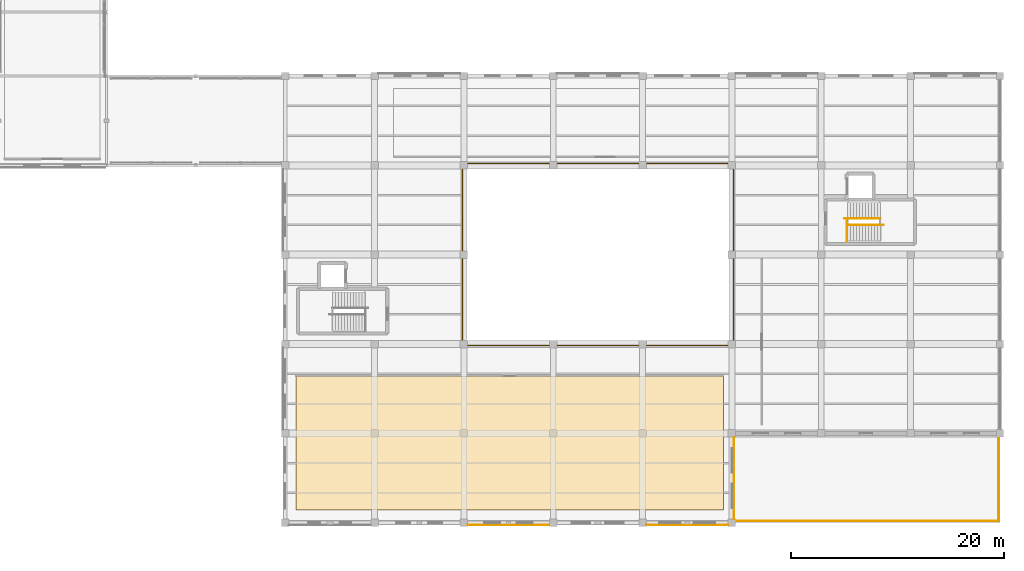
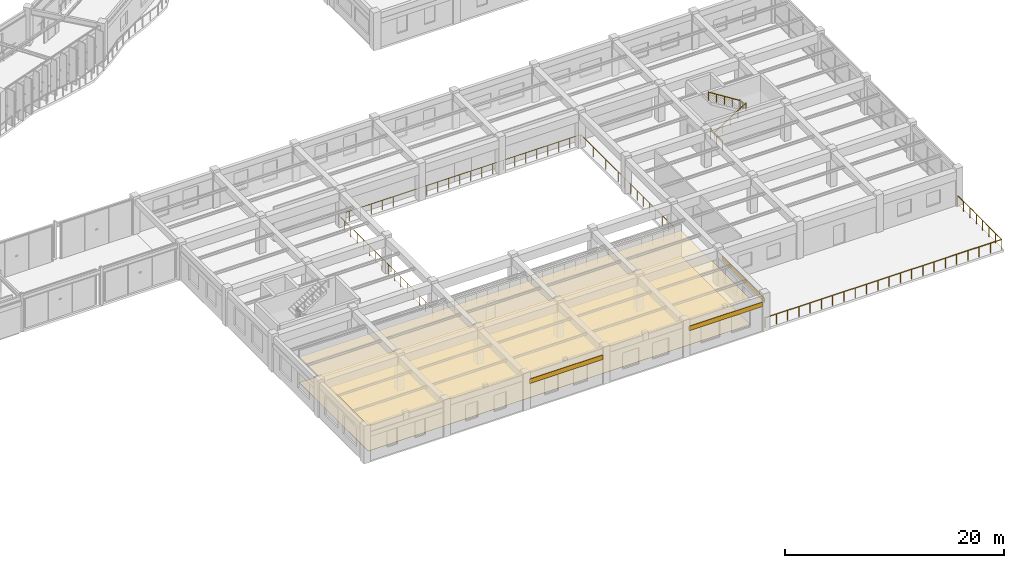
# One storey, part 149 of 152: 5 coverings, 5 railings.
"""IFC4 building model written with IfcOpenShell, lengths in metres."""

from ifc_helpers import new_model, si_unit, direction, frame, origin, origin_2d, place, context, subcontext, project, spatial, polyline, circle, outline, extrude, material, layer, layer_set, type_object, element, save


model = new_model("IFC4")

# Units and contexts
model_context = context("Model", 3, precision=1e-05, world=origin(), true_north=direction((0.0, 1.0)))
body_context = subcontext(model_context, "Body", "Model", "MODEL_VIEW")
ifc_project = project(units=[si_unit("LENGTHUNIT", "METRE"), si_unit("AREAUNIT", "SQUARE_METRE"), si_unit("VOLUMEUNIT", "CUBIC_METRE"), si_unit("PLANEANGLEUNIT", "RADIAN"), si_unit("MASSUNIT", "GRAM", prefix="KILO"), si_unit("THERMODYNAMICTEMPERATUREUNIT", "KELVIN"), si_unit("POWERUNIT", "WATT")], contexts=[model_context])

# Site, building, storey
site_placement = place(None, origin())
site = spatial("IfcSite", under=ifc_project, at=site_placement, CompositionType="ELEMENT")
building_placement = place(site_placement, origin())
building = spatial("IfcBuilding", under=site, at=building_placement, Name="Darbajah Civic Hall", CompositionType="ELEMENT")
storey_placement = place(building_placement, frame((0.0, 0.0, 5.39990234375)))
storey = spatial("IfcBuildingStorey", under=building, at=storey_placement, Name="L01", CompositionType="ELEMENT", Elevation=5.39990234375)

# Railings
ifc_material_1 = material(Name="Brushed Bronze Stainless Steel", Category="steel")
railing_type_1 = type_object("IfcRailingType", Name="Brushed Bronze Handrail", PredefinedType="HANDRAIL", material=ifc_material_1)
railing_1_placement = place(storey_placement, frame((163.8798828125, 28.0, 0.175048828125)))
element("IfcRailing", 1, at=railing_1_placement, inside=storey, type_object=railing_type_1, Name="ST07 L01 lower flight handrail", PredefinedType="HANDRAIL", context=body_context, shape_type="SweptSolid", body=[
    extrude(circle(Radius=0.02392578125, at=origin_2d()), frame((0.023193359375, 0.0, 0.910400390625), z_axis=(0.845944288966, 0.0, 0.533271281775), x_axis=(0.0, 1.0, 0.0)), (0.0, 0.0, 1.0), 3.91748046875),
    extrude(circle(Radius=0.02099609375, at=origin_2d()), origin(), (0.0, 0.0, 1.0), 0.867919921875),
    extrude(circle(Radius=0.02099609375, at=origin_2d()), frame((0.840087890625, 0.0, 0.529541015625)), (0.0, 0.0, 1.0), 0.867919921875),
    extrude(circle(Radius=0.02099609375, at=origin_2d()), frame((1.68017578125, 0.0, 1.05908203125)), (0.0, 0.0, 1.0), 0.867919921875),
    extrude(circle(Radius=0.02099609375, at=origin_2d()), frame((2.52001953125, 0.0, 1.588623046875)), (0.0, 0.0, 1.0), 0.867919921875),
    extrude(circle(Radius=0.02099609375, at=origin_2d()), frame((3.360107421875, 0.0, 2.1181640625)), (0.0, 0.0, 1.0), 0.867919921875),
])
railing_2_placement = place(storey_placement, frame((166.9599609375, 28.60009765625, 2.275146484375)))
element("IfcRailing", 2, at=railing_2_placement, inside=storey, type_object=railing_type_1, Name="ST07 L01 upper flight handrail", PredefinedType="HANDRAIL", context=body_context, shape_type="SweptSolid", body=[
    extrude(circle(Radius=0.02392578125, at=origin_2d()), frame((-0.023193359375, 0.0, 0.910400390625), z_axis=(-0.845926808262, 0.0, 0.533299010935), x_axis=(0.0, -1.0, 0.0)), (0.0, 0.0, 1.0), 3.917236328125),
    extrude(circle(Radius=0.02099609375, at=origin_2d()), origin(), (0.0, 0.0, 1.0), 0.867919921875),
    extrude(circle(Radius=0.02099609375, at=origin_2d()), frame((-0.83984375, 0.0, 0.529541015625)), (0.0, 0.0, 1.0), 0.867919921875),
    extrude(circle(Radius=0.02099609375, at=origin_2d()), frame((-1.679931640625, 0.0, 1.05908203125)), (0.0, 0.0, 1.0), 0.867919921875),
    extrude(circle(Radius=0.02099609375, at=origin_2d()), frame((-2.52001953125, 0.0, 1.588623046875)), (0.0, 0.0, 1.0), 0.867919921875),
    extrude(circle(Radius=0.02099609375, at=origin_2d()), frame((-3.35986328125, 0.0, 2.1181640625)), (0.0, 0.0, 1.0), 0.867919921875),
])
ifc_material_2 = material(Name="Anodised Bronze Aluminium and Laminated Safety Glass", Category="aluminium")
railing_type_2 = type_object("IfcRailingType", Name="Exterior Terrace Balustrade Guard", PredefinedType="BALUSTRADE", material=ifc_material_2)
railing_3_placement = place(storey_placement, frame((153.14990234375, 0.14990234375, 0.0)))
element("IfcRailing", 3, at=railing_3_placement, inside=storey, type_object=railing_type_2, Name="L01 walkable terrace balustrade guard GD-V3-L01-TERR", PredefinedType="BALUSTRADE", context=body_context, shape_type="SweptSolid", body=[
    extrude(circle(Radius=0.02392578125, at=origin_2d()), frame((0.02734375, 0.0, 1.09619140625), z_axis=(1.0, 0.0, 0.0), x_axis=(0.0, 1.0, 0.0)), (0.0, 0.0, 1.0), 24.845458984375),
    extrude(circle(Radius=0.02392578125, at=origin_2d()), frame((24.900146484375, 0.02734375, 1.09619140625), z_axis=(0.0, 1.0, 0.0), x_axis=(-1.0, 0.0, 0.0)), (0.0, 0.0, 1.0), 8.04541015625),
    extrude(circle(Radius=0.02099609375, at=origin_2d()), origin(), (0.0, 0.0, 1.0), 1.068115234375),
    extrude(circle(Radius=0.02099609375, at=origin_2d()), frame((1.185791015625, 0.0, 0.0)), (0.0, 0.0, 1.0), 1.068115234375),
    extrude(circle(Radius=0.02099609375, at=origin_2d()), frame((2.371337890625, 0.0, 0.0)), (0.0, 0.0, 1.0), 1.068115234375),
    extrude(circle(Radius=0.02099609375, at=origin_2d()), frame((3.55712890625, 0.0, 0.0)), (0.0, 0.0, 1.0), 1.068115234375),
    extrude(circle(Radius=0.02099609375, at=origin_2d()), frame((4.742919921875, 0.0, 0.0)), (0.0, 0.0, 1.0), 1.068115234375),
    extrude(circle(Radius=0.02099609375, at=origin_2d()), frame((5.9287109375, 0.0, 0.0)), (0.0, 0.0, 1.0), 1.068115234375),
    extrude(circle(Radius=0.02099609375, at=origin_2d()), frame((7.1142578125, 0.0, 0.0)), (0.0, 0.0, 1.0), 1.068115234375),
    extrude(circle(Radius=0.02099609375, at=origin_2d()), frame((8.300048828125, 0.0, 0.0)), (0.0, 0.0, 1.0), 1.068115234375),
    extrude(circle(Radius=0.02099609375, at=origin_2d()), frame((9.48583984375, 0.0, 0.0)), (0.0, 0.0, 1.0), 1.068115234375),
    extrude(circle(Radius=0.02099609375, at=origin_2d()), frame((10.67138671875, 0.0, 0.0)), (0.0, 0.0, 1.0), 1.068115234375),
    extrude(circle(Radius=0.02099609375, at=origin_2d()), frame((11.857177734375, 0.0, 0.0)), (0.0, 0.0, 1.0), 1.068115234375),
    extrude(circle(Radius=0.02099609375, at=origin_2d()), frame((13.04296875, 0.0, 0.0)), (0.0, 0.0, 1.0), 1.068115234375),
    extrude(circle(Radius=0.02099609375, at=origin_2d()), frame((14.228759765625, 0.0, 0.0)), (0.0, 0.0, 1.0), 1.068115234375),
    extrude(circle(Radius=0.02099609375, at=origin_2d()), frame((15.414306640625, 0.0, 0.0)), (0.0, 0.0, 1.0), 1.068115234375),
    extrude(circle(Radius=0.02099609375, at=origin_2d()), frame((16.60009765625, 0.0, 0.0)), (0.0, 0.0, 1.0), 1.068115234375),
    extrude(circle(Radius=0.02099609375, at=origin_2d()), frame((17.785888671875, 0.0, 0.0)), (0.0, 0.0, 1.0), 1.068115234375),
    extrude(circle(Radius=0.02099609375, at=origin_2d()), frame((18.971435546875, 0.0, 0.0)), (0.0, 0.0, 1.0), 1.068115234375),
    extrude(circle(Radius=0.02099609375, at=origin_2d()), frame((20.1572265625, 0.0, 0.0)), (0.0, 0.0, 1.0), 1.068115234375),
    extrude(circle(Radius=0.02099609375, at=origin_2d()), frame((21.343017578125, 0.0, 0.0)), (0.0, 0.0, 1.0), 1.068115234375),
    extrude(circle(Radius=0.02099609375, at=origin_2d()), frame((22.52880859375, 0.0, 0.0)), (0.0, 0.0, 1.0), 1.068115234375),
    extrude(circle(Radius=0.02099609375, at=origin_2d()), frame((23.71435546875, 0.0, 0.0)), (0.0, 0.0, 1.0), 1.068115234375),
    extrude(circle(Radius=0.02099609375, at=origin_2d()), frame((24.900146484375, 0.0, 0.0)), (0.0, 0.0, 1.0), 1.068115234375),
    extrude(circle(Radius=0.02099609375, at=origin_2d()), frame((24.900146484375, 1.1572265625, 0.0)), (0.0, 0.0, 1.0), 1.068115234375),
    extrude(circle(Radius=0.02099609375, at=origin_2d()), frame((24.900146484375, 2.314208984375, 0.0)), (0.0, 0.0, 1.0), 1.068115234375),
    extrude(circle(Radius=0.02099609375, at=origin_2d()), frame((24.900146484375, 3.471435546875, 0.0)), (0.0, 0.0, 1.0), 1.068115234375),
    extrude(circle(Radius=0.02099609375, at=origin_2d()), frame((24.900146484375, 4.628662109375, 0.0)), (0.0, 0.0, 1.0), 1.068115234375),
    extrude(circle(Radius=0.02099609375, at=origin_2d()), frame((24.900146484375, 5.785888671875, 0.0)), (0.0, 0.0, 1.0), 1.068115234375),
    extrude(circle(Radius=0.02099609375, at=origin_2d()), frame((24.900146484375, 6.94287109375, 0.0)), (0.0, 0.0, 1.0), 1.068115234375),
    extrude(circle(Radius=0.02099609375, at=origin_2d()), frame((24.900146484375, 8.10009765625, 0.0)), (0.0, 0.0, 1.0), 1.068115234375),
])

# Covering
ifc_material_3 = material(Name="Honed Qatari Limestone Terrazzo", Category="masonry")
ifc_layer_1 = layer(ifc_material_3, 0.030029296875, Name="Honed Qatari Limestone Terrazzo")
ifc_layer_set_1 = layer_set([ifc_layer_1], Name="Honed Qatari Limestone Terrazzo")
covering_type_1 = type_object("IfcCoveringType", Name="Honed Qatari Limestone Terrazzo Flooring", PredefinedType="FLOORING", material=ifc_layer_set_1)
covering_1_placement = place(storey_placement, origin())
element("IfcCovering", 4, at=covering_1_placement, inside=storey, type_object=covering_type_1, Name="L01 stone terrazzo flooring L01-V3-01", PredefinedType="FLOORING", context=body_context, shape_type="SweptSolid", body=[
    extrude(outline(polyline([(112.0, 1.199951171875), (152.199951171875, 1.199951171875), (152.199951171875, 13.800048828125), (112.0, 13.800048828125), (112.0, 1.199951171875)])), origin(), (0.0, 0.0, 1.0), 0.030029296875),
])

# Railings
ifc_material_4 = material(Name="Brushed Bronze and Laminated Safety Glass", Category="glass")
railing_type_3 = type_object("IfcRailingType", Name="Interior Guard Balustrade", PredefinedType="BALUSTRADE", material=ifc_material_4)
railing_4_placement = place(storey_placement, frame((163.830078125, 26.449951171875, 0.0)))
element("IfcRailing", 5, at=railing_4_placement, inside=storey, type_object=railing_type_3, Name="ST07 L01 stair-well edge guard", PredefinedType="BALUSTRADE", context=body_context, shape_type="SweptSolid", body=[
    extrude(circle(Radius=0.02392578125, at=origin_2d()), frame((0.0, 0.02734375, 1.09619140625), z_axis=(0.0, 1.0, 0.0), x_axis=(-1.0, 0.0, 0.0)), (0.0, 0.0, 1.0), 2.095458984375),
    extrude(circle(Radius=0.02099609375, at=origin_2d()), origin(), (0.0, 0.0, 1.0), 1.068115234375),
    extrude(circle(Radius=0.02099609375, at=origin_2d()), frame((0.0, 1.0751953125, 0.0)), (0.0, 0.0, 1.0), 1.068115234375),
    extrude(circle(Radius=0.02099609375, at=origin_2d()), frame((0.0, 2.150146484375, 0.0)), (0.0, 0.0, 1.0), 1.068115234375),
])
railing_5_placement = place(storey_placement, frame((127.64990234375, 16.64990234375, 0.0)))
element("IfcRailing", 6, at=railing_5_placement, inside=storey, type_object=railing_type_3, Name="L01 Public Hall atrium balustrade", PredefinedType="BALUSTRADE", context=body_context, shape_type="SweptSolid", body=[
    extrude(circle(Radius=0.02392578125, at=origin_2d()), frame((0.02734375, 0.0, 1.09619140625), z_axis=(1.0, 0.0, 0.0), x_axis=(0.0, 1.0, 0.0)), (0.0, 0.0, 1.0), 25.4453125),
    extrude(circle(Radius=0.02392578125, at=origin_2d()), frame((25.5, 0.02734375, 1.09619140625), z_axis=(0.0, 1.0, 0.0), x_axis=(-1.0, 0.0, 0.0)), (0.0, 0.0, 1.0), 17.04541015625),
    extrude(circle(Radius=0.02392578125, at=origin_2d()), frame((25.47265625, 17.10009765625, 1.09619140625), z_axis=(-1.0, 0.0, 0.0), x_axis=(0.0, -1.0, 0.0)), (0.0, 0.0, 1.0), 25.4453125),
    extrude(circle(Radius=0.02392578125, at=origin_2d()), frame((0.0, 17.07275390625, 1.09619140625), z_axis=(0.0, -1.0, 0.0), x_axis=(1.0, 0.0, 0.0)), (0.0, 0.0, 1.0), 17.04541015625),
    extrude(circle(Radius=0.02099609375, at=origin_2d()), origin(), (0.0, 0.0, 1.0), 1.068115234375),
    extrude(circle(Radius=0.02099609375, at=origin_2d()), frame((1.1591796875, 0.0, 0.0)), (0.0, 0.0, 1.0), 1.068115234375),
    extrude(circle(Radius=0.02099609375, at=origin_2d()), frame((2.318115234375, 0.0, 0.0)), (0.0, 0.0, 1.0), 1.068115234375),
    extrude(circle(Radius=0.02099609375, at=origin_2d()), frame((3.477294921875, 0.0, 0.0)), (0.0, 0.0, 1.0), 1.068115234375),
    extrude(circle(Radius=0.02099609375, at=origin_2d()), frame((4.636474609375, 0.0, 0.0)), (0.0, 0.0, 1.0), 1.068115234375),
    extrude(circle(Radius=0.02099609375, at=origin_2d()), frame((5.79541015625, 0.0, 0.0)), (0.0, 0.0, 1.0), 1.068115234375),
    extrude(circle(Radius=0.02099609375, at=origin_2d()), frame((6.95458984375, 0.0, 0.0)), (0.0, 0.0, 1.0), 1.068115234375),
    extrude(circle(Radius=0.02099609375, at=origin_2d()), frame((8.113525390625, 0.0, 0.0)), (0.0, 0.0, 1.0), 1.068115234375),
    extrude(circle(Radius=0.02099609375, at=origin_2d()), frame((9.272705078125, 0.0, 0.0)), (0.0, 0.0, 1.0), 1.068115234375),
    extrude(circle(Radius=0.02099609375, at=origin_2d()), frame((10.431884765625, 0.0, 0.0)), (0.0, 0.0, 1.0), 1.068115234375),
    extrude(circle(Radius=0.02099609375, at=origin_2d()), frame((11.5908203125, 0.0, 0.0)), (0.0, 0.0, 1.0), 1.068115234375),
    extrude(circle(Radius=0.02099609375, at=origin_2d()), frame((12.75, 0.0, 0.0)), (0.0, 0.0, 1.0), 1.068115234375),
    extrude(circle(Radius=0.02099609375, at=origin_2d()), frame((13.9091796875, 0.0, 0.0)), (0.0, 0.0, 1.0), 1.068115234375),
    extrude(circle(Radius=0.02099609375, at=origin_2d()), frame((15.068115234375, 0.0, 0.0)), (0.0, 0.0, 1.0), 1.068115234375),
    extrude(circle(Radius=0.02099609375, at=origin_2d()), frame((16.227294921875, 0.0, 0.0)), (0.0, 0.0, 1.0), 1.068115234375),
    extrude(circle(Radius=0.02099609375, at=origin_2d()), frame((17.386474609375, 0.0, 0.0)), (0.0, 0.0, 1.0), 1.068115234375),
    extrude(circle(Radius=0.02099609375, at=origin_2d()), frame((18.54541015625, 0.0, 0.0)), (0.0, 0.0, 1.0), 1.068115234375),
    extrude(circle(Radius=0.02099609375, at=origin_2d()), frame((19.70458984375, 0.0, 0.0)), (0.0, 0.0, 1.0), 1.068115234375),
    extrude(circle(Radius=0.02099609375, at=origin_2d()), frame((20.863525390625, 0.0, 0.0)), (0.0, 0.0, 1.0), 1.068115234375),
    extrude(circle(Radius=0.02099609375, at=origin_2d()), frame((22.022705078125, 0.0, 0.0)), (0.0, 0.0, 1.0), 1.068115234375),
    extrude(circle(Radius=0.02099609375, at=origin_2d()), frame((23.181884765625, 0.0, 0.0)), (0.0, 0.0, 1.0), 1.068115234375),
    extrude(circle(Radius=0.02099609375, at=origin_2d()), frame((24.3408203125, 0.0, 0.0)), (0.0, 0.0, 1.0), 1.068115234375),
    extrude(circle(Radius=0.02099609375, at=origin_2d()), frame((25.5, 0.0, 0.0)), (0.0, 0.0, 1.0), 1.068115234375),
    extrude(circle(Radius=0.02099609375, at=origin_2d()), frame((25.5, 1.139892578125, 0.0)), (0.0, 0.0, 1.0), 1.068115234375),
    extrude(circle(Radius=0.02099609375, at=origin_2d()), frame((25.5, 2.280029296875, 0.0)), (0.0, 0.0, 1.0), 1.068115234375),
    extrude(circle(Radius=0.02099609375, at=origin_2d()), frame((25.5, 3.419921875, 0.0)), (0.0, 0.0, 1.0), 1.068115234375),
    extrude(circle(Radius=0.02099609375, at=origin_2d()), frame((25.5, 4.56005859375, 0.0)), (0.0, 0.0, 1.0), 1.068115234375),
    extrude(circle(Radius=0.02099609375, at=origin_2d()), frame((25.5, 5.699951171875, 0.0)), (0.0, 0.0, 1.0), 1.068115234375),
    extrude(circle(Radius=0.02099609375, at=origin_2d()), frame((25.5, 6.840087890625, 0.0)), (0.0, 0.0, 1.0), 1.068115234375),
    extrude(circle(Radius=0.02099609375, at=origin_2d()), frame((25.5, 7.97998046875, 0.0)), (0.0, 0.0, 1.0), 1.068115234375),
    extrude(circle(Radius=0.02099609375, at=origin_2d()), frame((25.5, 9.1201171875, 0.0)), (0.0, 0.0, 1.0), 1.068115234375),
    extrude(circle(Radius=0.02099609375, at=origin_2d()), frame((25.5, 10.260009765625, 0.0)), (0.0, 0.0, 1.0), 1.068115234375),
    extrude(circle(Radius=0.02099609375, at=origin_2d()), frame((25.5, 11.400146484375, 0.0)), (0.0, 0.0, 1.0), 1.068115234375),
    extrude(circle(Radius=0.02099609375, at=origin_2d()), frame((25.5, 12.5400390625, 0.0)), (0.0, 0.0, 1.0), 1.068115234375),
    extrude(circle(Radius=0.02099609375, at=origin_2d()), frame((25.5, 13.68017578125, 0.0)), (0.0, 0.0, 1.0), 1.068115234375),
    extrude(circle(Radius=0.02099609375, at=origin_2d()), frame((25.5, 14.820068359375, 0.0)), (0.0, 0.0, 1.0), 1.068115234375),
    extrude(circle(Radius=0.02099609375, at=origin_2d()), frame((25.5, 15.960205078125, 0.0)), (0.0, 0.0, 1.0), 1.068115234375),
    extrude(circle(Radius=0.02099609375, at=origin_2d()), frame((25.5, 17.10009765625, 0.0)), (0.0, 0.0, 1.0), 1.068115234375),
    extrude(circle(Radius=0.02099609375, at=origin_2d()), frame((24.3408203125, 17.10009765625, 0.0)), (0.0, 0.0, 1.0), 1.068115234375),
    extrude(circle(Radius=0.02099609375, at=origin_2d()), frame((23.181884765625, 17.10009765625, 0.0)), (0.0, 0.0, 1.0), 1.068115234375),
    extrude(circle(Radius=0.02099609375, at=origin_2d()), frame((22.022705078125, 17.10009765625, 0.0)), (0.0, 0.0, 1.0), 1.068115234375),
    extrude(circle(Radius=0.02099609375, at=origin_2d()), frame((20.863525390625, 17.10009765625, 0.0)), (0.0, 0.0, 1.0), 1.068115234375),
    extrude(circle(Radius=0.02099609375, at=origin_2d()), frame((19.70458984375, 17.10009765625, 0.0)), (0.0, 0.0, 1.0), 1.068115234375),
    extrude(circle(Radius=0.02099609375, at=origin_2d()), frame((18.54541015625, 17.10009765625, 0.0)), (0.0, 0.0, 1.0), 1.068115234375),
    extrude(circle(Radius=0.02099609375, at=origin_2d()), frame((17.386474609375, 17.10009765625, 0.0)), (0.0, 0.0, 1.0), 1.068115234375),
    extrude(circle(Radius=0.02099609375, at=origin_2d()), frame((16.227294921875, 17.10009765625, 0.0)), (0.0, 0.0, 1.0), 1.068115234375),
    extrude(circle(Radius=0.02099609375, at=origin_2d()), frame((15.068115234375, 17.10009765625, 0.0)), (0.0, 0.0, 1.0), 1.068115234375),
    extrude(circle(Radius=0.02099609375, at=origin_2d()), frame((13.9091796875, 17.10009765625, 0.0)), (0.0, 0.0, 1.0), 1.068115234375),
    extrude(circle(Radius=0.02099609375, at=origin_2d()), frame((12.75, 17.10009765625, 0.0)), (0.0, 0.0, 1.0), 1.068115234375),
    extrude(circle(Radius=0.02099609375, at=origin_2d()), frame((11.5908203125, 17.10009765625, 0.0)), (0.0, 0.0, 1.0), 1.068115234375),
    extrude(circle(Radius=0.02099609375, at=origin_2d()), frame((10.431884765625, 17.10009765625, 0.0)), (0.0, 0.0, 1.0), 1.068115234375),
    extrude(circle(Radius=0.02099609375, at=origin_2d()), frame((9.272705078125, 17.10009765625, 0.0)), (0.0, 0.0, 1.0), 1.068115234375),
    extrude(circle(Radius=0.02099609375, at=origin_2d()), frame((8.113525390625, 17.10009765625, 0.0)), (0.0, 0.0, 1.0), 1.068115234375),
    extrude(circle(Radius=0.02099609375, at=origin_2d()), frame((6.95458984375, 17.10009765625, 0.0)), (0.0, 0.0, 1.0), 1.068115234375),
    extrude(circle(Radius=0.02099609375, at=origin_2d()), frame((5.79541015625, 17.10009765625, 0.0)), (0.0, 0.0, 1.0), 1.068115234375),
    extrude(circle(Radius=0.02099609375, at=origin_2d()), frame((4.636474609375, 17.10009765625, 0.0)), (0.0, 0.0, 1.0), 1.068115234375),
    extrude(circle(Radius=0.02099609375, at=origin_2d()), frame((3.477294921875, 17.10009765625, 0.0)), (0.0, 0.0, 1.0), 1.068115234375),
    extrude(circle(Radius=0.02099609375, at=origin_2d()), frame((2.318115234375, 17.10009765625, 0.0)), (0.0, 0.0, 1.0), 1.068115234375),
    extrude(circle(Radius=0.02099609375, at=origin_2d()), frame((1.1591796875, 17.10009765625, 0.0)), (0.0, 0.0, 1.0), 1.068115234375),
    extrude(circle(Radius=0.02099609375, at=origin_2d()), frame((0.0, 17.10009765625, 0.0)), (0.0, 0.0, 1.0), 1.068115234375),
    extrude(circle(Radius=0.02099609375, at=origin_2d()), frame((0.0, 15.960205078125, 0.0)), (0.0, 0.0, 1.0), 1.068115234375),
    extrude(circle(Radius=0.02099609375, at=origin_2d()), frame((0.0, 14.820068359375, 0.0)), (0.0, 0.0, 1.0), 1.068115234375),
    extrude(circle(Radius=0.02099609375, at=origin_2d()), frame((0.0, 13.68017578125, 0.0)), (0.0, 0.0, 1.0), 1.068115234375),
    extrude(circle(Radius=0.02099609375, at=origin_2d()), frame((0.0, 12.5400390625, 0.0)), (0.0, 0.0, 1.0), 1.068115234375),
    extrude(circle(Radius=0.02099609375, at=origin_2d()), frame((0.0, 11.400146484375, 0.0)), (0.0, 0.0, 1.0), 1.068115234375),
    extrude(circle(Radius=0.02099609375, at=origin_2d()), frame((0.0, 10.260009765625, 0.0)), (0.0, 0.0, 1.0), 1.068115234375),
    extrude(circle(Radius=0.02099609375, at=origin_2d()), frame((0.0, 9.1201171875, 0.0)), (0.0, 0.0, 1.0), 1.068115234375),
    extrude(circle(Radius=0.02099609375, at=origin_2d()), frame((0.0, 7.97998046875, 0.0)), (0.0, 0.0, 1.0), 1.068115234375),
    extrude(circle(Radius=0.02099609375, at=origin_2d()), frame((0.0, 6.840087890625, 0.0)), (0.0, 0.0, 1.0), 1.068115234375),
    extrude(circle(Radius=0.02099609375, at=origin_2d()), frame((0.0, 5.699951171875, 0.0)), (0.0, 0.0, 1.0), 1.068115234375),
    extrude(circle(Radius=0.02099609375, at=origin_2d()), frame((0.0, 4.56005859375, 0.0)), (0.0, 0.0, 1.0), 1.068115234375),
    extrude(circle(Radius=0.02099609375, at=origin_2d()), frame((0.0, 3.419921875, 0.0)), (0.0, 0.0, 1.0), 1.068115234375),
    extrude(circle(Radius=0.02099609375, at=origin_2d()), frame((0.0, 2.280029296875, 0.0)), (0.0, 0.0, 1.0), 1.068115234375),
    extrude(circle(Radius=0.02099609375, at=origin_2d()), frame((0.0, 1.139892578125, 0.0)), (0.0, 0.0, 1.0), 1.068115234375),
])

# Coverings
ifc_material_5 = material(Name="Qatari Desert Limestone Ashlar", Category="masonry")
ifc_layer_2 = layer(ifc_material_5, 0.044921875, Name="Qatari Desert Limestone Ashlar")
ifc_layer_set_2 = layer_set([ifc_layer_2], Name="Qatari Desert Limestone Ashlar")
covering_type_2 = type_object("IfcCoveringType", Name="Limestone Facade Cladding", PredefinedType="CLADDING", material=ifc_layer_set_2)
covering_2_placement = place(storey_placement, frame((0.0, 0.0, 2.75)))
element("IfcCovering", 7, at=covering_2_placement, inside=storey, type_object=covering_type_2, Name="L01 stone frieze cladding EW-V3-L01-S0-B2", PredefinedType="CLADDING", context=body_context, shape_type="SweptSolid", body=[
    extrude(outline(polyline([(128.152099609375, -0.18994140625), (135.847900390625, -0.18994140625), (135.847900390625, -0.235107421875), (128.152099609375, -0.235107421875), (128.152099609375, -0.18994140625)])), origin(), (0.0, 0.0, 1.0), 0.5),
])
covering_3_placement = place(storey_placement, frame((0.0, 0.0, 2.75)))
element("IfcCovering", 8, at=covering_3_placement, inside=storey, type_object=covering_type_2, Name="L01 stone frieze cladding EW-V3-L01-S0-B4", PredefinedType="CLADDING", context=body_context, shape_type="SweptSolid", body=[
    extrude(outline(polyline([(144.951904296875, -0.18994140625), (152.64794921875, -0.18994140625), (152.64794921875, -0.235107421875), (144.951904296875, -0.235107421875), (144.951904296875, -0.18994140625)])), origin(), (0.0, 0.0, 1.0), 0.5),
])
covering_4_placement = place(storey_placement, frame((0.0, 0.0, 2.650146484375)))
element("IfcCovering", 9, at=covering_4_placement, inside=storey, type_object=covering_type_2, Name="L01 stone frieze cladding EW-V3-L01-S1-B0", PredefinedType="CLADDING", context=body_context, shape_type="SweptSolid", body=[
    extrude(outline(polyline([(153.18994140625, 0.35205078125), (153.18994140625, 8.048095703125), (153.235107421875, 8.048095703125), (153.235107421875, 0.35205078125), (153.18994140625, 0.35205078125)])), origin(), (0.0, 0.0, 1.0), 0.5),
])
ifc_material_6 = material(Name="Perforated Acoustic Gypsum Board")
ifc_layer_3 = layer(ifc_material_6, 0.02490234375, Name="Perforated Acoustic Gypsum Board")
ifc_layer_set_3 = layer_set([ifc_layer_3], Name="Perforated Acoustic Gypsum Board")
covering_type_3 = type_object("IfcCoveringType", Name="Perforated Acoustic Gypsum Ceiling", PredefinedType="CEILING", material=ifc_layer_set_3)
covering_5_placement = place(storey_placement, frame((0.0, 0.0, 2.85009765625)))
element("IfcCovering", 10, at=covering_5_placement, inside=storey, type_object=covering_type_3, Name="L01 acoustic suspended ceiling L01-V3-01", PredefinedType="CEILING", context=body_context, shape_type="SweptSolid", body=[
    extrude(outline(polyline([(112.0, 1.199951171875), (152.199951171875, 1.199951171875), (152.199951171875, 13.800048828125), (112.0, 13.800048828125), (112.0, 1.199951171875)])), origin(), (0.0, 0.0, 1.0), 0.02490234375),
])

save(model, "model.ifc")
